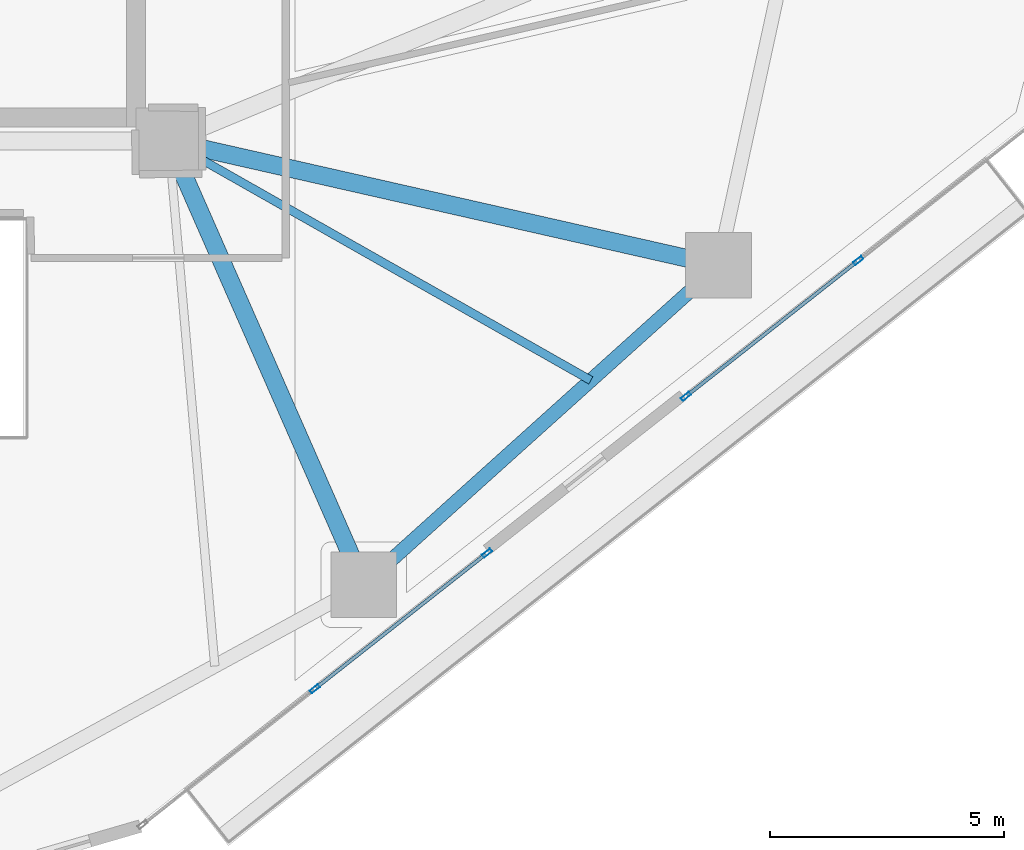
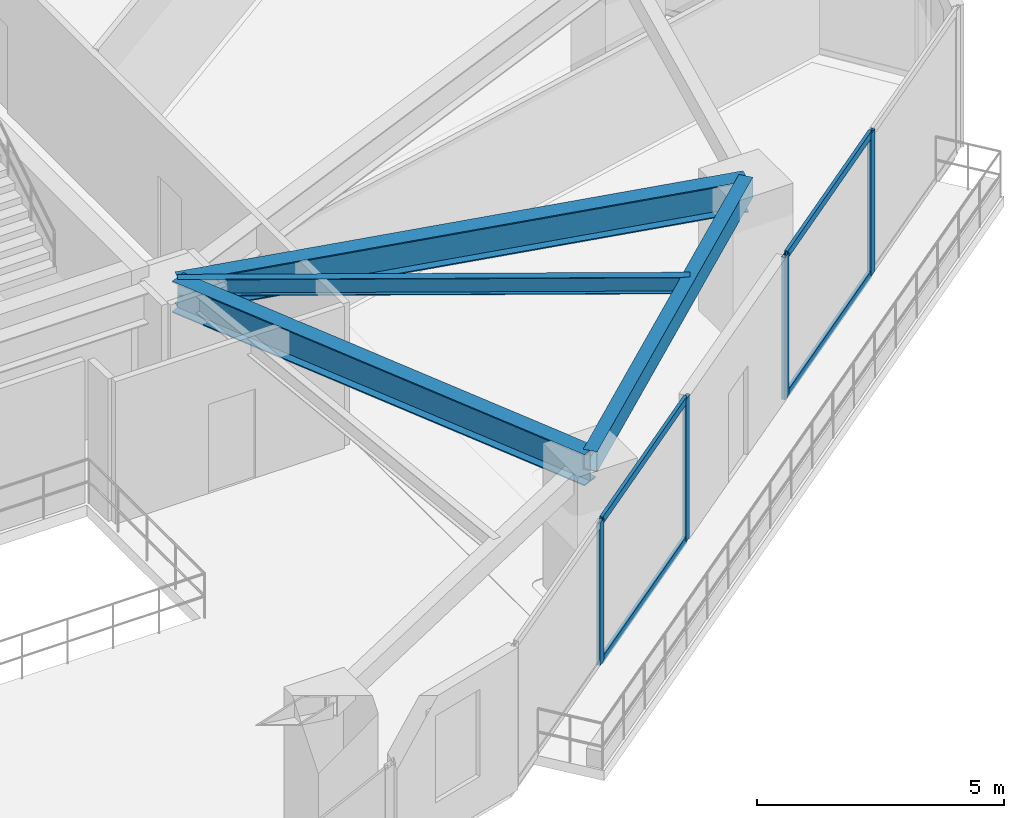
# One storey, part 9 of 24: 8 members, 4 beams, 2 elements without a shape of their own.
"""IFC4 building model written with IfcOpenShell, lengths in metres."""

from ifc_helpers import new_model, si_unit, direction, frame, origin, origin_2d, place, context, subcontext, project, spatial, hollow_rectangle, i_section, extrude, source, transform, mapped, material, layer, layer_set, material_profile, profile_set, type_object, type_shapes, element, aggregate, save


model = new_model("IFC4")

# Units and contexts
model_context = context("Model", 3, precision=1e-05, world=origin(), true_north=direction((0.0, 1.0)))
body_context = subcontext(model_context, "Body", "Model", "MODEL_VIEW")
ifc_project = project(units=[si_unit("LENGTHUNIT", "METRE"), si_unit("AREAUNIT", "SQUARE_METRE"), si_unit("VOLUMEUNIT", "CUBIC_METRE"), si_unit("PLANEANGLEUNIT", "RADIAN"), si_unit("MASSUNIT", "GRAM", prefix="KILO")], contexts=[model_context])

# Site, building, storey
site_placement = place(None, origin())
site = spatial("IfcSite", under=ifc_project, at=site_placement, CompositionType="ELEMENT")
building_placement = place(site_placement, origin())
building = spatial("IfcBuilding", under=site, at=building_placement, Name="Talar Marvaseh", CompositionType="ELEMENT")
storey_placement = place(building_placement, frame((0.0, 0.0, 73.39990234375)))
storey = spatial("IfcBuildingStorey", under=building, at=storey_placement, Name="L18", CompositionType="ELEMENT", Elevation=73.39990234375)

# Beams
ifc_material_1 = material(Name="Steel S355", Category="steel")
ifc_material_profile_1 = material_profile(ifc_material_1, hollow_rectangle(XDim=0.300048828125, YDim=0.5, WallThickness=0.02001953125, at=origin_2d()), Name="RHS500x300x20")
ifc_profile_set_1 = profile_set([ifc_material_profile_1], Name="Steel S355")
beam_type_1 = type_object("IfcBeamType", Name="Zone 1 Perimeter Spandrel Beam RHS500x300x20", PredefinedType="SPANDREL", material=ifc_profile_set_1)
beam_1_placement = place(storey_placement, frame((45.0439453125, 22.840087890625, 3.27001953125), z_axis=(-0.743257224494, -0.669005753516, 0.0), x_axis=(0.669005753516, -0.743257224494, 0.0)))
element("IfcBeam", 1, at=beam_1_placement, inside=storey, type_object=beam_type_1, Name="L18 Zone 1 Perimeter Spandrel Beam RHS500x300x20", PredefinedType="SPANDREL", context=body_context, shape_type="SweptSolid", body=[
    extrude(hollow_rectangle(XDim=0.300048828125, YDim=0.5, WallThickness=0.02001953125, at=origin_2d()), origin(), (0.0, 0.0, 1.0), 10.19287109375),
])
ifc_material_profile_2 = material_profile(ifc_material_1, i_section(OverallWidth=0.381103515625, OverallDepth=0.77294921875, WebThickness=0.0166015625, FlangeThickness=0.027099609375, at=origin_2d()), Name="W760x257")
ifc_profile_set_2 = profile_set([ifc_material_profile_2], Name="Steel S355")
beam_type_2 = type_object("IfcBeamType", Name="Zone 1 Radial Floor Girder W760x257", PredefinedType="BEAM", material=ifc_profile_set_2)
beam_2_placement = place(storey_placement, frame((45.0439453125, 22.840087890625, 3.133544921875), z_axis=(-0.975296900374, 0.220898067263, 0.0), x_axis=(-0.220898067263, -0.975296900374, 0.0)))
element("IfcBeam", 2, at=beam_2_placement, inside=storey, type_object=beam_type_2, Name="L18 Zone 1 Radial Floor Girder W760x257", PredefinedType="BEAM", context=body_context, shape_type="SweptSolid", body=[
    extrude(i_section(OverallWidth=0.381103515625, OverallDepth=0.77294921875, WebThickness=0.0166015625, FlangeThickness=0.027099609375, at=origin_2d()), origin(), (0.0, 0.0, 1.0), 12.041259765625),
])
beam_3_placement = place(storey_placement, frame((37.468017578125, 16.02099609375, 3.133544921875), z_axis=(-0.402512625991, 0.915414433969, 0.0), x_axis=(-0.915414433969, -0.402512625991, 0.0)))
element("IfcBeam", 3, at=beam_3_placement, inside=storey, type_object=beam_type_2, Name="L18 Zone 1 Radial Floor Girder W760x257", PredefinedType="BEAM", context=body_context, shape_type="SweptSolid", body=[
    extrude(i_section(OverallWidth=0.381103515625, OverallDepth=0.77294921875, WebThickness=0.0166015625, FlangeThickness=0.027099609375, at=origin_2d()), origin(), (0.0, 0.0, 1.0), 10.35498046875),
])
ifc_material_profile_3 = material_profile(ifc_material_1, i_section(OverallWidth=0.179931640625, OverallDepth=0.4130859375, WebThickness=0.009765625, FlangeThickness=0.01611328125, at=origin_2d()), Name="W410x75")
ifc_profile_set_3 = profile_set([ifc_material_profile_3], Name="Steel S355")
beam_type_3 = type_object("IfcBeamType", Name="Zone 1 Secondary Floor Joist W410x75", PredefinedType="JOIST", material=ifc_profile_set_3)
beam_4_placement = place(storey_placement, frame((42.316650390625, 20.38525390625, 3.3134765625), z_axis=(-0.869801202402, 0.493402339172, 0.0), x_axis=(-0.493402339172, -0.869801202402, 0.0)))
element("IfcBeam", 4, at=beam_4_placement, inside=storey, type_object=beam_type_3, Name="L18 Zone 1 Secondary Floor Joist W410x75", PredefinedType="JOIST", context=body_context, shape_type="SweptSolid", body=[
    extrude(i_section(OverallWidth=0.179931640625, OverallDepth=0.4130859375, WebThickness=0.009765625, FlangeThickness=0.01611328125, at=origin_2d()), origin(), (0.0, 0.0, 1.0), 10.3662109375),
])

# Curtain wall, members
ifc_material_2 = material(Name="Architectural Aluminium", Category="aluminium")
ifc_layer = layer(ifc_material_2, 0.219970703125)
ifc_layer_set = layer_set([ifc_layer], Name="Architectural Aluminium")
curtain_wall_type = type_object("IfcCurtainWallType", Name="Unitised Low-E Museum Curtain Wall Z1", PredefinedType="NOTDEFINED", material=ifc_layer_set)
curtain_wall_1_placement = place(storey_placement, origin())
curtain_wall_1 = element("IfcCurtainWall", 5, at=curtain_wall_1_placement, inside=storey, type_object=curtain_wall_type, Name="L18 Unitised Low-E Museum Curtain Wall Z1", PredefinedType="NOTDEFINED")
ifc_material_profile_4 = material_profile(ifc_material_2, hollow_rectangle(XDim=0.080078125, YDim=0.219970703125, WallThickness=0.0048828125, at=origin_2d()), Name="RHS220x80x5")
ifc_profile_set_4 = profile_set([ifc_material_profile_4], Name="Architectural Aluminium")
member_type_1 = type_object("IfcMemberType", Name="Unitised Curtain Wall Heavy Mullion RHS220x80x5", PredefinedType="MULLION", material=ifc_profile_set_4)
shared_shape_1 = source(origin(), body_context, "Body", "SweptSolid", [
    extrude(hollow_rectangle(XDim=0.080078125, YDim=0.219970703125, WallThickness=0.0048828125, at=origin_2d()), origin(), (0.0, 0.0, 1.0), 3.52001953125),
])
type_shapes(member_type_1, [shared_shape_1])
member_1_placement = place(storey_placement, frame((48.029052734375, 22.943603515625, 0.0), z_axis=(0.0, 0.0, 1.0), x_axis=(0.618972153017, -0.785412932023, 0.0)))
member_1 = element("IfcMember", 6, at=member_1_placement, type_object=member_type_1, Name="CW-Z1 mullion 2", PredefinedType="MULLION", context=body_context, shape_type="MappedRepresentation", body=[
    mapped(shared_shape_1, transform((0.0, 0.0, 0.0), x_axis=(1.0, 0.0, 0.0), y_axis=(0.0, 1.0, 0.0), z_axis=(0.0, 0.0, 1.0), scale=1.0)),
])
member_2_placement = place(storey_placement, frame((44.35009765625, 20.044189453125, 0.0), z_axis=(0.0, 0.0, 1.0), x_axis=(0.618972153017, -0.785412932023, 0.0)))
member_2 = element("IfcMember", 7, at=member_2_placement, type_object=member_type_1, Name="CW-Z1 mullion 3", PredefinedType="MULLION", context=body_context, shape_type="MappedRepresentation", body=[
    mapped(shared_shape_1, transform((0.0, 0.0, 0.0), x_axis=(1.0, 0.0, 0.0), y_axis=(0.0, 1.0, 0.0), z_axis=(0.0, 0.0, 1.0), scale=1.0)),
])

curtain_wall_2_placement = place(storey_placement, origin())
curtain_wall_2 = element("IfcCurtainWall", 8, at=curtain_wall_2_placement, inside=storey, type_object=curtain_wall_type, Name="L18 Unitised Low-E Museum Curtain Wall Z1", PredefinedType="NOTDEFINED")
member_3_placement = place(storey_placement, frame((40.10107421875, 16.69580078125, 0.0), z_axis=(0.0, 0.0, 1.0), x_axis=(0.618972153017, -0.785412932023, 0.0)))
member_3 = element("IfcMember", 9, at=member_3_placement, type_object=member_type_1, Name="CW-Z1 mullion 1", PredefinedType="MULLION", context=body_context, shape_type="MappedRepresentation", body=[
    mapped(shared_shape_1, transform((0.0, 0.0, 0.0), x_axis=(1.0, 0.0, 0.0), y_axis=(0.0, 1.0, 0.0), z_axis=(0.0, 0.0, 1.0), scale=1.0)),
])
member_4_placement = place(storey_placement, frame((36.421875, 13.79638671875, 0.0), z_axis=(0.0, 0.0, 1.0), x_axis=(0.618972153017, -0.785412932023, 0.0)))
member_4 = element("IfcMember", 10, at=member_4_placement, type_object=member_type_1, Name="CW-Z1 mullion 2", PredefinedType="MULLION", context=body_context, shape_type="MappedRepresentation", body=[
    mapped(shared_shape_1, transform((0.0, 0.0, 0.0), x_axis=(1.0, 0.0, 0.0), y_axis=(0.0, 1.0, 0.0), z_axis=(0.0, 0.0, 1.0), scale=1.0)),
])

# Member
ifc_material_profile_5 = material_profile(ifc_material_2, hollow_rectangle(XDim=0.074951171875, YDim=0.179931640625, WallThickness=0.0048828125, at=origin_2d()), Name="RHS180x75x5")
ifc_profile_set_5 = profile_set([ifc_material_profile_5], Name="Architectural Aluminium")
member_type_2 = type_object("IfcMemberType", Name="Unitised Curtain Wall Transom RHS180x75x5", PredefinedType="USERDEFINED", material=ifc_profile_set_5)
shared_shape_2 = source(origin(), body_context, "Body", "SweptSolid", [
    extrude(hollow_rectangle(XDim=0.074951171875, YDim=0.179931640625, WallThickness=0.0048828125, at=origin_2d()), origin(), (0.0, 0.0, 1.0), 4.604248046875),
])
type_shapes(member_type_2, [shared_shape_2])
member_5_placement = place(storey_placement, frame((47.99755859375, 22.9189453125, 0.03759765625), z_axis=(-0.785415898248, -0.61896838916, 0.0), x_axis=(0.61896838916, -0.785415898248, 0.0)))
member_5 = element("IfcMember", 11, at=member_5_placement, type_object=member_type_2, Name="CW-Z1 transom 2.1", ObjectType="TRANSOM", PredefinedType="USERDEFINED", context=body_context, shape_type="MappedRepresentation", body=[
    mapped(shared_shape_2, transform((0.0, 0.0, 0.0), x_axis=(1.0, 0.0, 0.0), y_axis=(0.0, 1.0, 0.0), z_axis=(0.0, 0.0, 1.0), scale=1.0)),
])

member_6_placement = place(storey_placement, frame((47.99755859375, 22.9189453125, 3.482666015625), z_axis=(-0.785415898248, -0.61896838916, 0.0), x_axis=(0.61896838916, -0.785415898248, 0.0)))
member_6 = element("IfcMember", 12, at=member_6_placement, type_object=member_type_2, Name="CW-Z1 transom 2.2", ObjectType="TRANSOM", PredefinedType="USERDEFINED", context=body_context, shape_type="MappedRepresentation", body=[
    mapped(shared_shape_2, transform((0.0, 0.0, 0.0), x_axis=(1.0, 0.0, 0.0), y_axis=(0.0, 1.0, 0.0), z_axis=(0.0, 0.0, 1.0), scale=1.0)),
])

aggregate(curtain_wall_1, [member_1, member_2, member_5, member_6])

member_7_placement = place(storey_placement, frame((40.069580078125, 16.6708984375, 0.03759765625), z_axis=(-0.785415898248, -0.61896838916, 0.0), x_axis=(0.61896838916, -0.785415898248, 0.0)))
member_7 = element("IfcMember", 13, at=member_7_placement, type_object=member_type_2, Name="CW-Z1 transom 1.1", ObjectType="TRANSOM", PredefinedType="USERDEFINED", context=body_context, shape_type="MappedRepresentation", body=[
    mapped(shared_shape_2, transform((0.0, 0.0, 0.0), x_axis=(1.0, 0.0, 0.0), y_axis=(0.0, 1.0, 0.0), z_axis=(0.0, 0.0, 1.0), scale=1.0)),
])

member_8_placement = place(storey_placement, frame((40.069580078125, 16.6708984375, 3.482666015625), z_axis=(-0.785415898248, -0.61896838916, 0.0), x_axis=(0.61896838916, -0.785415898248, 0.0)))
member_8 = element("IfcMember", 14, at=member_8_placement, type_object=member_type_2, Name="CW-Z1 transom 1.2", ObjectType="TRANSOM", PredefinedType="USERDEFINED", context=body_context, shape_type="MappedRepresentation", body=[
    mapped(shared_shape_2, transform((0.0, 0.0, 0.0), x_axis=(1.0, 0.0, 0.0), y_axis=(0.0, 1.0, 0.0), z_axis=(0.0, 0.0, 1.0), scale=1.0)),
])

aggregate(curtain_wall_2, [member_3, member_4, member_7, member_8])

save(model, "model.ifc")
